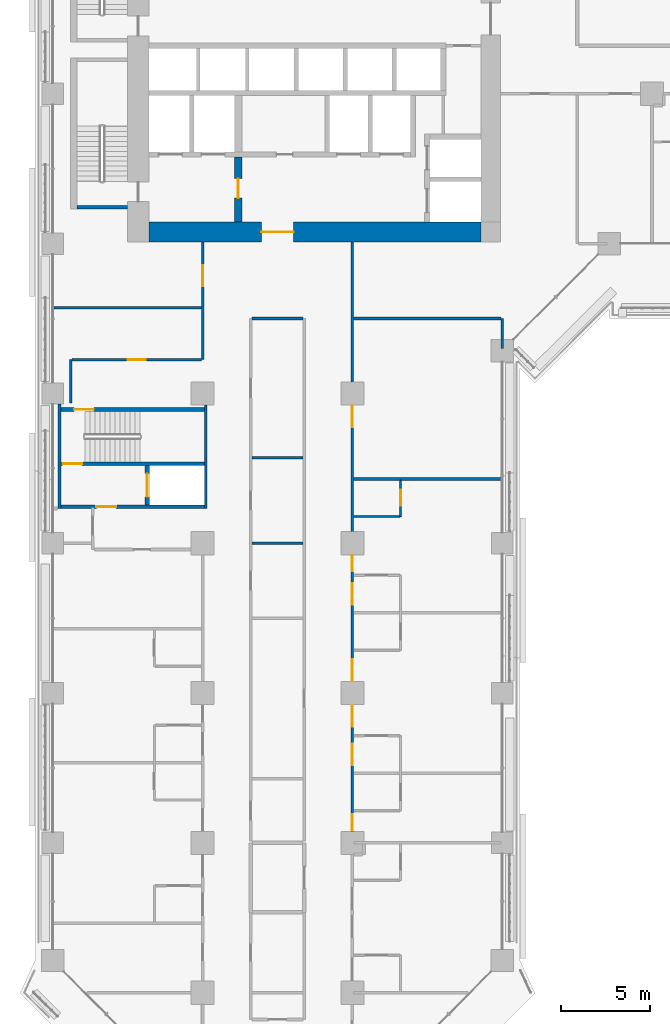
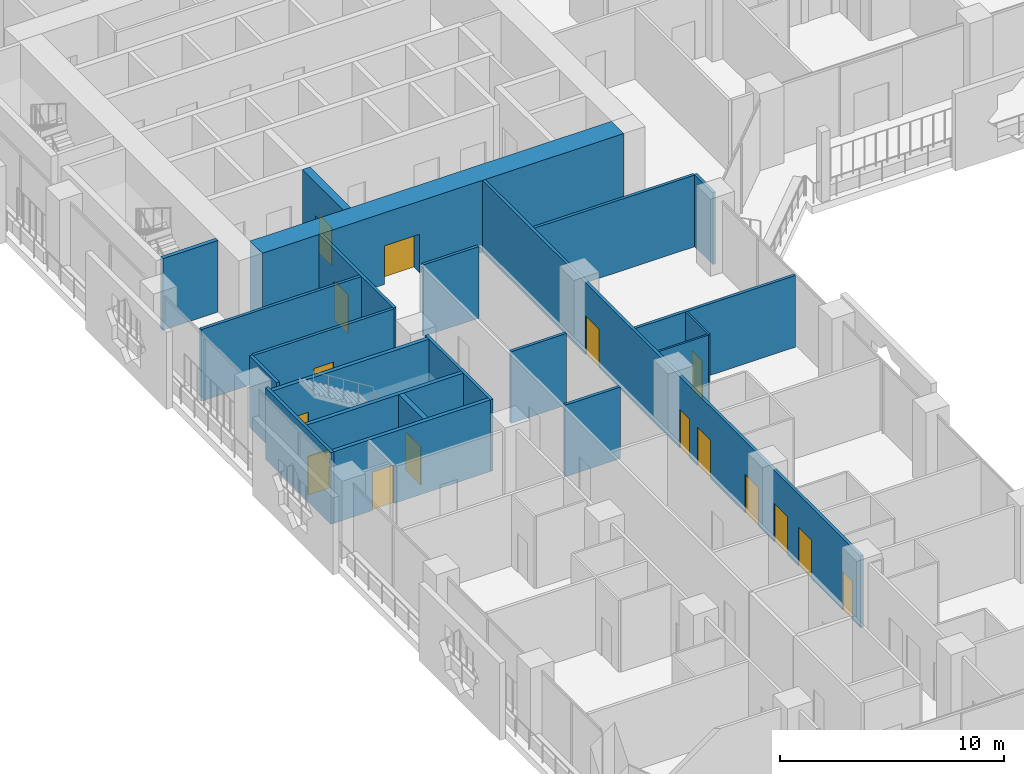
# One storey, part 15 of 29: 22 walls, 16 doors, 16 openings.
"""IFC4 building model written with IfcOpenShell, lengths in metres."""

import ifcopenshell
import ifcopenshell.guid

model = None  # the IFC model being written
_history = None  # IfcOwnerHistory: only IFC2X3 demands one
_inside = {}  # id of a spatial element -> (the spatial element, [elements in it])
_under = {}  # id of a project, library or spatial element -> (it, [spatial elements below it])
_declared = {}  # id of a project -> (the project, [libraries it declares])
_typed = {}  # id of a type object -> (the type object, [elements of that type])
_made_of = {}  # id of a material, layer set ... -> (it, [elements and type objects made of it])


def new_model(schema):
    """Start an empty IFC model of exactly this schema.

    Asked for "IFC4X3", IfcOpenShell would pick the latest addendum, in which some entities
    have other attributes; the version numbers below select the first issue.
    IFC2X3 requires an IfcOwnerHistory on every rooted entity: one is made here for all.
    """
    global model, _history
    if schema == "IFC4X3":
        model = ifcopenshell.file(schema_version=(4, 3, 0, 0))
    else:
        model = ifcopenshell.file(schema=schema)
    _inside.clear()
    _under.clear()
    _declared.clear()
    _typed.clear()
    _made_of.clear()
    _history = None
    if model.schema == "IFC2X3":
        org = make("IfcOrganization", Name="unknown")
        user = make(
            "IfcPersonAndOrganization",
            ThePerson=make("IfcPerson", FamilyName="unknown"),
            TheOrganization=org,
        )
        app = make(
            "IfcApplication",
            ApplicationDeveloper=org,
            Version="unknown",
            ApplicationFullName="unknown",
            ApplicationIdentifier="unknown",
        )
        _history = make(
            "IfcOwnerHistory",
            OwningUser=user,
            OwningApplication=app,
            ChangeAction="ADDED",
            CreationDate=0,
        )
    return model


def make(cls, **values):
    """One entity of the class cls with the attributes given. An attribute that is None is left unset."""
    return model.create_entity(
        cls, **{name: value for name, value in values.items() if value is not None}
    )


def rooted(cls, **values):
    """An entity with a GlobalId (a new one), such as an element, a storey or a relation."""
    return make(cls, GlobalId=ifcopenshell.guid.new(), OwnerHistory=_history, **values)


def si_unit(unit_type, name, prefix=None):
    """IfcSIUnit, for example si_unit("LENGTHUNIT", "METRE", prefix="MILLI")."""
    return make("IfcSIUnit", UnitType=unit_type, Prefix=prefix, Name=name)


def assignment(units):
    """IfcUnitAssignment: the units of a project."""
    return None if units is None else make("IfcUnitAssignment", Units=units)


def point(xyz):
    """IfcCartesianPoint."""
    return None if xyz is None else make("IfcCartesianPoint", Coordinates=xyz)


def direction(xyz):
    """IfcDirection."""
    return None if xyz is None else make("IfcDirection", DirectionRatios=xyz)


def frame(location, z_axis=None, x_axis=None):
    """IfcAxis2Placement3D, a coordinate frame: its origin and axes. An axis left out is left unset."""
    return make(
        "IfcAxis2Placement3D",
        Location=point(location),
        Axis=direction(z_axis),
        RefDirection=direction(x_axis),
    )


def frame_2d(location, x_axis=None):
    """IfcAxis2Placement2D, a coordinate frame in the plane: its origin and x axis."""
    return make(
        "IfcAxis2Placement2D", Location=point(location), RefDirection=direction(x_axis)
    )


def origin():
    """The frame at (0, 0, 0) with its axes left unset."""
    return frame((0.0, 0.0, 0.0))


def place(relative_to, where):
    """IfcLocalPlacement: puts the frame where relative to a parent placement (None: the world)."""
    return make(
        "IfcLocalPlacement", PlacementRelTo=relative_to, RelativePlacement=where
    )


def context(
    kind, dimensions, precision=None, world=None, true_north=None, identifier=None
):
    """IfcGeometricRepresentationContext, for example the 3D "Model" context."""
    return make(
        "IfcGeometricRepresentationContext",
        ContextIdentifier=identifier,
        ContextType=kind,
        CoordinateSpaceDimension=dimensions,
        Precision=precision,
        WorldCoordinateSystem=world,
        TrueNorth=true_north,
    )


def subcontext(parent, identifier, kind, view, scale=None):
    """IfcGeometricRepresentationSubContext, for example "Body" below "Model"."""
    return make(
        "IfcGeometricRepresentationSubContext",
        ContextIdentifier=identifier,
        ContextType=kind,
        ParentContext=parent,
        TargetScale=scale,
        TargetView=view,
    )


def project(units=None, contexts=None):
    """IfcProject with its units and contexts."""
    return rooted(
        "IfcProject",
        Name="project",
        RepresentationContexts=contexts,
        UnitsInContext=assignment(units),
    )


def spatial(cls, under=None, at=None, **own):
    """A site, building, storey or space (cls), placed at a placement, below another one or the project."""
    s = rooted(cls, ObjectPlacement=at, **own)
    if under is not None:
        _under.setdefault(under.id(), (under, []))[1].append(s)
    return s


def profile(cls, at=None, kind="AREA", **sizes):
    """A parametric profile (cls). Its sizes go by their IFC names, for example OverallWidth=200.0."""
    return make(cls, ProfileType=kind, Position=at, **sizes)


def rectangle(**sizes):
    """IfcRectangleProfileDef."""
    return profile("IfcRectangleProfileDef", **sizes)


def extrude(swept, where, along, depth):
    """IfcExtrudedAreaSolid: the profile swept, set in the frame where, extruded along a direction by depth."""
    return make(
        "IfcExtrudedAreaSolid",
        SweptArea=swept,
        Position=where,
        ExtrudedDirection=direction(along),
        Depth=depth,
    )


def shape(context_of_items, identifier, shape_type, items):
    """IfcShapeRepresentation: the items that make up one representation, for example the "Body"."""
    return make(
        "IfcShapeRepresentation",
        ContextOfItems=context_of_items,
        RepresentationIdentifier=identifier,
        RepresentationType=shape_type,
        Items=items,
    )


def material(Name=None, Category=None):
    """IfcMaterial."""
    return make("IfcMaterial", Name=Name, Category=Category)


def layer(
    of_material, thickness, ventilated=None, Name=None, Category=None, Priority=None
):
    """IfcMaterialLayer: one layer of a wall or slab, of a material (None: an air gap)."""
    return make(
        "IfcMaterialLayer",
        Material=of_material,
        LayerThickness=thickness,
        IsVentilated=ventilated,
        Name=Name,
        Category=Category,
        Priority=Priority,
    )


def layer_set(layers, Name=None):
    """IfcMaterialLayerSet."""
    return make("IfcMaterialLayerSet", MaterialLayers=layers, LayerSetName=Name)


def made_of(thing, what):
    """Note that an element or type object is made of a material, layer set ...; save() writes the relation."""
    if what is not None:
        _made_of.setdefault(what.id(), (what, []))[1].append(thing)
    return thing


def type_object(cls, material=None, **own):
    """A type object (cls), such as IfcWallType, which elements share."""
    return made_of(rooted(cls, **own), material)


def element(
    cls,
    number,
    at=None,
    inside=None,
    cuts=None,
    type_object=None,
    material=None,
    context=None,
    identifier="Body",
    shape_type=None,
    held_by="IfcProductDefinitionShape",
    body=None,
    shapes=None,
    **own,
):
    """One element of the class cls, such as IfcWall. Its Tag is "e" and its number.

    at: its placement. inside: the storey or other place that contains it. cuts: it is an
    opening in that element (IfcRelVoidsElement). A single representation is given by context,
    identifier, shape_type and body (its items); several are given by shapes. held_by: the class
    of the entity that holds the representations. save() writes the other relations.
    """
    e = rooted(cls, Tag="e%d" % number, ObjectPlacement=at, **own)
    if body is not None:
        shapes = [shape(context, identifier, shape_type, body)]
    if shapes is not None:
        e.Representation = make(held_by, Representations=shapes)
    if inside is not None:
        _inside.setdefault(inside.id(), (inside, []))[1].append(e)
    if cuts is not None:
        rooted(
            "IfcRelVoidsElement", RelatingBuildingElement=cuts, RelatedOpeningElement=e
        )
    if type_object is not None:
        _typed.setdefault(type_object.id(), (type_object, []))[1].append(e)
    return made_of(e, material)


def fill(opening, filler):
    """IfcRelFillsElement: the door or window that sits in an opening."""
    return rooted(
        "IfcRelFillsElement",
        RelatingOpeningElement=opening,
        RelatedBuildingElement=filler,
    )


def aggregate(whole, parts):
    """IfcRelAggregates: a whole, such as a stair, and the parts it consists of."""
    return rooted("IfcRelAggregates", RelatingObject=whole, RelatedObjects=parts)


def save(model, path):
    """Write the relations noted so far, then the file.

    IfcRelAggregates (storeys below a building ...), IfcRelContainedInSpatialStructure (elements
    in a storey), IfcRelDefinesByType, IfcRelAssociatesMaterial and IfcRelDeclares: one each for
    every whole, place, type object, material and project.
    """
    for whole, parts in _under.values():
        aggregate(whole, parts)
    for where, things in _inside.values():
        rooted(
            "IfcRelContainedInSpatialStructure",
            RelatedElements=things,
            RelatingStructure=where,
        )
    for kind, things in _typed.values():
        rooted("IfcRelDefinesByType", RelatedObjects=things, RelatingType=kind)
    for what, things in _made_of.values():
        rooted("IfcRelAssociatesMaterial", RelatedObjects=things, RelatingMaterial=what)
    for by, libraries in _declared.values():
        rooted("IfcRelDeclares", RelatingContext=by, RelatedDefinitions=libraries)
    model.write(path)


model = new_model("IFC4")

# Units and contexts
model_context = context("Model", 3, precision=1e-05, world=origin(), true_north=direction((0.0, 1.0)))
body_context = subcontext(model_context, "Body", "Model", "MODEL_VIEW")
ifc_project = project(units=[si_unit("LENGTHUNIT", "METRE"), si_unit("AREAUNIT", "SQUARE_METRE"), si_unit("VOLUMEUNIT", "CUBIC_METRE"), si_unit("PLANEANGLEUNIT", "RADIAN"), si_unit("MASSUNIT", "GRAM", prefix="KILO")], contexts=[model_context])

# Site, building, storey
site_placement = place(None, origin())
site = spatial("IfcSite", under=ifc_project, at=site_placement, CompositionType="ELEMENT")
building_placement = place(site_placement, origin())
building = spatial("IfcBuilding", under=site, at=building_placement, Name="Kawkab Arch Medical Tower", CompositionType="ELEMENT")
storey_placement = place(building_placement, frame((0.0, 0.0, 60.199951171875)))
storey = spatial("IfcBuildingStorey", under=building, at=storey_placement, Name="L13", CompositionType="ELEMENT", Elevation=60.199951171875)

# Wall, opening, door
ifc_material_1 = material(Name="Concrete C60/75", Category="concrete")
ifc_layer_1 = layer(ifc_material_1, 1.10009765625)
ifc_layer_set_1 = layer_set([ifc_layer_1], Name="Concrete C60/75")
wall_type_1 = type_object("IfcWallType", Name="Core ring wall 1100 C60/75", PredefinedType="SHEAR", material=ifc_layer_set_1)
wall_1_placement = place(storey_placement, frame((5.39990234375, -24.550048828125, 0.0), z_axis=(0.0, 0.0, 1.0), x_axis=(1.0, 0.0, 0.0)))
wall_1 = element("IfcWall", 1, at=wall_1_placement, inside=storey, type_object=wall_type_1, Name="L13 core wall", PredefinedType="SHEAR", context=body_context, shape_type="SweptSolid", body=[
    extrude(rectangle(XDim=18.60009765625, YDim=1.10009765625, at=frame_2d((9.300048828125, 0.0))), origin(), (0.0, 0.0, 1.0), 3.900146484375),
])
opening_1_placement = place(wall_1_placement, frame((6.300048828125, 0.0, 0.0)))
opening_1 = element("IfcOpeningElement", 2, at=opening_1_placement, cuts=wall_1, Name="Opening PD", PredefinedType="OPENING", context=body_context, shape_type="SweptSolid", body=[
    extrude(rectangle(XDim=1.800048828125, YDim=2.10009765625, at=frame_2d((0.89990234375, 1.050048828125))), frame((0.0, 0.56005859375, 0.0), z_axis=(0.0, -1.0, 0.0), x_axis=(1.0, 0.0, 0.0)), (0.0, 0.0, 1.0), 1.1201171875),
])
ifc_material_2 = material(Name="Hollow metal fire door leaf")
door_type_1 = type_object("IfcDoorType", Name="Core entrance doors 1800", OperationType="DOUBLE_DOOR_SINGLE_SWING", PredefinedType="DOOR", material=ifc_material_2)
door_1_placement = place(opening_1_placement, origin())
door_1 = element("IfcDoor", 3, at=door_1_placement, inside=storey, type_object=door_type_1, Name="L13 South entrance doors", OperationType="DOUBLE_DOOR_SINGLE_SWING", OverallHeight=2.10009765625, OverallWidth=1.800048828125, PredefinedType="DOOR", context=body_context, shape_type="SweptSolid", body=[
    extrude(rectangle(XDim=1.800048828125, YDim=2.10009765625, at=frame_2d((0.89990234375, 1.050048828125))), frame((0.0, 0.02490234375, 0.0), z_axis=(0.0, -1.0, 0.0), x_axis=(1.0, 0.0, 0.0)), (0.0, 0.0, 1.0), 0.050048828125),
])
fill(opening_1, door_1)

ifc_material_3 = material(Name="Concrete C60/75", Category="concrete")
ifc_layer_2 = layer(ifc_material_3, 0.25)
ifc_layer_set_2 = layer_set([ifc_layer_2], Name="Concrete C60/75")
wall_type_2 = type_object("IfcWallType", Name="Core shear wall 250 C60/75", PredefinedType="SHEAR", material=ifc_layer_set_2)
wall_2_placement = place(storey_placement, frame((5.300048828125, -39.85009765625, 0.0), z_axis=(0.0, 0.0, 1.0), x_axis=(0.0, 1.0, 0.0)))
wall_2 = element("IfcWall", 4, at=wall_2_placement, inside=storey, type_object=wall_type_2, Name="L13 core shear wall", PredefinedType="SHEAR", context=body_context, shape_type="SweptSolid", body=[
    extrude(rectangle(XDim=2.2001953125, YDim=0.25, at=frame_2d((1.10009765625, 0.0))), origin(), (0.0, 0.0, 1.0), 3.900146484375),
])
opening_2_placement = place(wall_2_placement, frame((0.449951171875, 0.0, 0.0)))
opening_2 = element("IfcOpeningElement", 5, at=opening_2_placement, cuts=wall_2, Name="Opening LD2", PredefinedType="OPENING", context=body_context, shape_type="SweptSolid", body=[
    extrude(rectangle(XDim=1.300048828125, YDim=2.10009765625, at=frame_2d((0.64990234375, 1.050048828125))), frame((0.0, 0.135009765625, 0.0), z_axis=(0.0, -1.0, 0.0), x_axis=(1.0, 0.0, 0.0)), (0.0, 0.0, 1.0), 0.27001953125),
])
ifc_material_4 = material(Name="Stainless steel lift door leaf", Category="steel")
door_type_2 = type_object("IfcDoorType", Name="Lift landing door 1300", OperationType="DOUBLE_DOOR_SLIDING", PredefinedType="DOOR", material=ifc_material_4)
door_2_placement = place(opening_2_placement, origin())
door_2 = element("IfcDoor", 6, at=door_2_placement, inside=storey, type_object=door_type_2, Name="L13 Lift landing door SV2", OperationType="DOUBLE_DOOR_SLIDING", OverallHeight=2.10009765625, OverallWidth=1.300048828125, PredefinedType="DOOR", context=body_context, shape_type="SweptSolid", body=[
    extrude(rectangle(XDim=1.300048828125, YDim=2.10009765625, at=frame_2d((0.64990234375, 1.050048828125))), frame((0.0, 0.02490234375, 0.0), z_axis=(0.0, -1.0, 0.0), x_axis=(1.0, 0.0, 0.0)), (0.0, 0.0, 1.0), 0.050048828125),
])
fill(opening_2, door_2)

ifc_material_5 = material(Name="Concrete C60/75", Category="concrete")
ifc_layer_3 = layer(ifc_material_5, 0.39990234375)
ifc_layer_set_3 = layer_set([ifc_layer_3], Name="Concrete C60/75")
wall_type_3 = type_object("IfcWallType", Name="Core shear wall 400 C60/75", PredefinedType="SHEAR", material=ifc_layer_set_3)
wall_3_placement = place(storey_placement, frame((10.39990234375, -24.0, 0.0), z_axis=(0.0, 0.0, 1.0), x_axis=(0.0, 1.0, 0.0)))
wall_3 = element("IfcWall", 7, at=wall_3_placement, inside=storey, type_object=wall_type_3, Name="L13 core shear wall", PredefinedType="SHEAR", context=body_context, shape_type="SweptSolid", body=[
    extrude(rectangle(XDim=3.64990234375, YDim=0.39990234375, at=frame_2d((1.824951171875, 0.0))), origin(), (0.0, 0.0, 1.0), 3.900146484375),
])
opening_3_placement = place(wall_3_placement, frame((1.35009765625, 0.0, 0.0)))
opening_3 = element("IfcOpeningElement", 8, at=opening_3_placement, cuts=wall_3, Name="Opening FD", PredefinedType="OPENING", context=body_context, shape_type="SweptSolid", body=[
    extrude(rectangle(XDim=1.10009765625, YDim=2.10009765625, at=frame_2d((0.550048828125, 1.050048828125))), frame((0.0, 0.2099609375, 0.0), z_axis=(0.0, -1.0, 0.0), x_axis=(1.0, 0.0, 0.0)), (0.0, 0.0, 1.0), 0.419921875),
])
ifc_material_6 = material(Name="Hollow metal fire door leaf")
door_type_3 = type_object("IfcDoorType", Name="Firefighting lobby door 1100", OperationType="SINGLE_SWING_LEFT", PredefinedType="DOOR", material=ifc_material_6)
door_3_placement = place(opening_3_placement, origin())
door_3 = element("IfcDoor", 9, at=door_3_placement, inside=storey, type_object=door_type_3, Name="L13 Firefighting lobby door", OperationType="SINGLE_SWING_LEFT", OverallHeight=2.10009765625, OverallWidth=1.10009765625, PredefinedType="DOOR", context=body_context, shape_type="SweptSolid", body=[
    extrude(rectangle(XDim=1.10009765625, YDim=2.10009765625, at=frame_2d((0.550048828125, 1.050048828125))), frame((0.0, 0.02490234375, 0.0), z_axis=(0.0, -1.0, 0.0), x_axis=(1.0, 0.0, 0.0)), (0.0, 0.0, 1.0), 0.050048828125),
])
fill(opening_3, door_3)

# Wall
ifc_material_7 = material(Name="Gypsum board partition on steel studs", Category="steel")
ifc_layer_4 = layer(ifc_material_7, 0.10009765625)
ifc_layer_set_4 = layer_set([ifc_layer_4], Name="Gypsum board partition on steel studs")
wall_type_4 = type_object("IfcWallType", Name="Partition 100", PredefinedType="PARTITIONING", material=ifc_layer_set_4)
wall_4_placement = place(storey_placement, frame((16.875, -40.5, 0.0), z_axis=(0.0, 0.0, 1.0), x_axis=(1.0, 0.0, 0.0)))
element("IfcWall", 10, at=wall_4_placement, inside=storey, type_object=wall_type_4, Name="Partition 100 w011", PredefinedType="PARTITIONING", context=body_context, shape_type="SweptSolid", body=[
    extrude(rectangle(XDim=2.574951171875, YDim=0.10009765625, at=frame_2d((1.28759765625, 0.0))), origin(), (0.0, 0.0, 1.0), 3.900146484375),
])

# Wall, opening, door
wall_5_placement = place(storey_placement, frame((19.5, -40.5, 0.0), z_axis=(0.0, 0.0, 1.0), x_axis=(0.0, 1.0, 0.0)))
wall_5 = element("IfcWall", 11, at=wall_5_placement, inside=storey, type_object=wall_type_4, Name="Partition 100 w028", PredefinedType="PARTITIONING", context=body_context, shape_type="SweptSolid", body=[
    extrude(rectangle(XDim=2.02490234375, YDim=0.10009765625, at=frame_2d((1.012451171875, 0.0))), origin(), (0.0, 0.0, 1.0), 3.900146484375),
])
opening_4_placement = place(wall_5_placement, frame((0.60009765625, 0.0, 0.0)))
opening_4 = element("IfcOpeningElement", 12, at=opening_4_placement, cuts=wall_5, Name="Opening W13A-014", PredefinedType="OPENING", context=body_context, shape_type="SweptSolid", body=[
    extrude(rectangle(XDim=0.89990234375, YDim=2.10009765625, at=frame_2d((0.449951171875, 1.050048828125))), frame((0.0, 0.06005859375, 0.0), z_axis=(0.0, -1.0, 0.0), x_axis=(1.0, 0.0, 0.0)), (0.0, 0.0, 1.0), 0.1201171875),
])
ifc_material_8 = material(Name="Timber door leaf", Category="wood")
door_type_4 = type_object("IfcDoorType", Name="Single door 900x2100", OperationType="NOTDEFINED", PredefinedType="DOOR", material=ifc_material_8)
door_4_placement = place(opening_4_placement, origin())
door_4 = element("IfcDoor", 13, at=door_4_placement, inside=storey, type_object=door_type_4, Name="Door W13A-014", OperationType="SINGLE_SWING_LEFT", OverallHeight=2.10009765625, OverallWidth=0.89990234375, PredefinedType="DOOR", context=body_context, shape_type="SweptSolid", body=[
    extrude(rectangle(XDim=0.89990234375, YDim=2.10009765625, at=frame_2d((0.449951171875, 1.050048828125))), frame((0.0, 0.02490234375, 0.0), z_axis=(0.0, -1.0, 0.0), x_axis=(1.0, 0.0, 0.0)), (0.0, 0.0, 1.0), 0.050048828125),
])
fill(opening_4, door_4)

# Walls
ifc_material_9 = material(Name="Gypsum board partition on steel studs, mineral wool", Category="steel")
ifc_layer_5 = layer(ifc_material_9, 0.14990234375)
ifc_layer_set_5 = layer_set([ifc_layer_5], Name="Gypsum board partition on steel studs, mineral wool")
wall_type_5 = type_object("IfcWallType", Name="Partition 150", PredefinedType="PARTITIONING", material=ifc_layer_set_5)
wall_6_placement = place(storey_placement, frame((11.175048828125, -42.0, 0.0), z_axis=(0.0, 0.0, 1.0), x_axis=(1.0, 0.0, 0.0)))
element("IfcWall", 14, at=wall_6_placement, inside=storey, type_object=wall_type_5, Name="Partition 150 w058", PredefinedType="PARTITIONING", context=body_context, shape_type="SweptSolid", body=[
    extrude(rectangle(XDim=2.849853515625, YDim=0.14990234375, at=frame_2d((1.4248046875, 0.0))), origin(), (0.0, 0.0, 1.0), 3.900146484375),
])
wall_7_placement = place(storey_placement, frame((16.875, -38.39990234375, 0.0), z_axis=(0.0, 0.0, 1.0), x_axis=(1.0, 0.0, 0.0)))
element("IfcWall", 15, at=wall_7_placement, inside=storey, type_object=wall_type_5, Name="Partition 150 w060", PredefinedType="PARTITIONING", context=body_context, shape_type="SweptSolid", body=[
    extrude(rectangle(XDim=8.2451171875, YDim=0.14990234375, at=frame_2d((4.12255859375, 0.0))), origin(), (0.0, 0.0, 1.0), 3.900146484375),
])
wall_8_placement = place(storey_placement, frame((11.175048828125, -37.199951171875, 0.0), z_axis=(0.0, 0.0, 1.0), x_axis=(1.0, 0.0, 0.0)))
element("IfcWall", 16, at=wall_8_placement, inside=storey, type_object=wall_type_5, Name="Partition 150 w061", PredefinedType="PARTITIONING", context=body_context, shape_type="SweptSolid", body=[
    extrude(rectangle(XDim=2.849853515625, YDim=0.14990234375, at=frame_2d((1.4248046875, 0.0))), origin(), (0.0, 0.0, 1.0), 3.900146484375),
])

# Wall, opening, door
wall_9_placement = place(storey_placement, frame((1.076904296875, -31.70703125, 0.0), z_axis=(0.0, 0.0, 1.0), x_axis=(1.0, 0.0, 0.0)))
wall_9 = element("IfcWall", 17, at=wall_9_placement, inside=storey, type_object=wall_type_5, Name="Partition 150 w062", PredefinedType="PARTITIONING", context=body_context, shape_type="SweptSolid", body=[
    extrude(rectangle(XDim=7.248046875, YDim=0.14990234375, at=frame_2d((3.6240234375, 0.0))), origin(), (0.0, 0.0, 1.0), 3.900146484375),
])
opening_5_placement = place(wall_9_placement, frame((3.1240234375, 0.0, 0.0)))
opening_5 = element("IfcOpeningElement", 18, at=opening_5_placement, cuts=wall_9, Name="Opening W13A-030", PredefinedType="OPENING", context=body_context, shape_type="SweptSolid", body=[
    extrude(rectangle(XDim=1.0, YDim=2.10009765625, at=frame_2d((0.5, 1.050048828125))), frame((0.0, 0.0849609375, 0.0), z_axis=(0.0, -1.0, 0.0), x_axis=(1.0, 0.0, 0.0)), (0.0, 0.0, 1.0), 0.169921875),
])
ifc_material_10 = material(Name="Hollow metal door leaf")
door_type_5 = type_object("IfcDoorType", Name="Single door 1000x2100 FD30S", OperationType="NOTDEFINED", PredefinedType="DOOR", material=ifc_material_10)
door_5_placement = place(opening_5_placement, origin())
door_5 = element("IfcDoor", 19, at=door_5_placement, inside=storey, type_object=door_type_5, Name="Door W13A-030", OperationType="SINGLE_SWING_RIGHT", OverallHeight=2.10009765625, OverallWidth=1.0, PredefinedType="DOOR", context=body_context, shape_type="SweptSolid", body=[
    extrude(rectangle(XDim=1.0, YDim=2.10009765625, at=frame_2d((0.5, 1.050048828125))), frame((0.0, 0.02490234375, 0.0), z_axis=(0.0, -1.0, 0.0), x_axis=(1.0, 0.0, 0.0)), (0.0, 0.0, 1.0), 0.050048828125),
])
fill(opening_5, door_5)

# Walls
wall_10_placement = place(storey_placement, frame((11.175048828125, -29.39990234375, 0.0), z_axis=(0.0, 0.0, 1.0), x_axis=(1.0, 0.0, 0.0)))
element("IfcWall", 20, at=wall_10_placement, inside=storey, type_object=wall_type_5, Name="Partition 150 w063", PredefinedType="PARTITIONING", context=body_context, shape_type="SweptSolid", body=[
    extrude(rectangle(XDim=2.849853515625, YDim=0.14990234375, at=frame_2d((1.4248046875, 0.0))), origin(), (0.0, 0.0, 1.0), 3.900146484375),
])
wall_11_placement = place(storey_placement, frame((16.875, -29.39990234375, 0.0), z_axis=(0.0, 0.0, 1.0), x_axis=(1.0, 0.0, 0.0)))
element("IfcWall", 21, at=wall_11_placement, inside=storey, type_object=wall_type_5, Name="Partition 150 w064", PredefinedType="PARTITIONING", context=body_context, shape_type="SweptSolid", body=[
    extrude(rectangle(XDim=8.25, YDim=0.14990234375, at=frame_2d((4.125, 0.0))), origin(), (0.0, 0.0, 1.0), 3.900146484375),
])
wall_12_placement = place(storey_placement, frame((0.080078125, -28.800048828125, 0.0), z_axis=(0.0, 0.0, 1.0), x_axis=(1.0, 0.0, 0.0)))
element("IfcWall", 22, at=wall_12_placement, inside=storey, type_object=wall_type_5, Name="Partition 150 w065", PredefinedType="PARTITIONING", context=body_context, shape_type="SweptSolid", body=[
    extrude(rectangle(XDim=8.244873046875, YDim=0.14990234375, at=frame_2d((4.12255859375, 0.0))), origin(), (0.0, 0.0, 1.0), 3.900146484375),
])
wall_13_placement = place(storey_placement, frame((1.0, -34.123046875, 0.0), z_axis=(0.0, 0.0, 1.0), x_axis=(0.0, 1.0, 0.0)))
element("IfcWall", 23, at=wall_13_placement, inside=storey, type_object=wall_type_5, Name="Partition 150 w083", PredefinedType="PARTITIONING", context=body_context, shape_type="SweptSolid", body=[
    extrude(rectangle(XDim=2.4150390625, YDim=0.14990234375, at=frame_2d((1.20751953125, 0.0))), origin(), (0.0, 0.0, 1.0), 3.900146484375),
])

# Wall, opening, door
wall_14_placement = place(storey_placement, frame((8.39990234375, -31.70703125, 0.0), z_axis=(0.0, 0.0, 1.0), x_axis=(0.0, 1.0, 0.0)))
wall_14 = element("IfcWall", 24, at=wall_14_placement, inside=storey, type_object=wall_type_5, Name="Partition 150 w087", PredefinedType="PARTITIONING", context=body_context, shape_type="SweptSolid", body=[
    extrude(rectangle(XDim=6.60693359375, YDim=0.14990234375, at=frame_2d((3.303466796875, 0.0))), origin(), (0.0, 0.0, 1.0), 3.900146484375),
])
opening_6_placement = place(wall_14_placement, frame((4.10693359375, 0.0, 0.0)))
opening_6 = element("IfcOpeningElement", 25, at=opening_6_placement, cuts=wall_14, Name="Opening W13A-068", PredefinedType="OPENING", context=body_context, shape_type="SweptSolid", body=[
    extrude(rectangle(XDim=1.199951171875, YDim=2.10009765625, at=frame_2d((0.60009765625, 1.050048828125))), frame((0.0, 0.0849609375, 0.0), z_axis=(0.0, -1.0, 0.0), x_axis=(1.0, 0.0, 0.0)), (0.0, 0.0, 1.0), 0.169921875),
])
ifc_material_11 = material(Name="Hollow metal door leaf")
door_type_6 = type_object("IfcDoorType", Name="Single door 1200x2100 FD30S", OperationType="NOTDEFINED", PredefinedType="DOOR", material=ifc_material_11)
door_6_placement = place(opening_6_placement, origin())
door_6 = element("IfcDoor", 26, at=door_6_placement, inside=storey, type_object=door_type_6, Name="Door W13A-068", OperationType="SINGLE_SWING_RIGHT", OverallHeight=2.10009765625, OverallWidth=1.199951171875, PredefinedType="DOOR", context=body_context, shape_type="SweptSolid", body=[
    extrude(rectangle(XDim=1.199951171875, YDim=2.10009765625, at=frame_2d((0.60009765625, 1.050048828125))), frame((0.0, 0.02490234375, 0.0), z_axis=(0.0, -1.0, 0.0), x_axis=(1.0, 0.0, 0.0)), (0.0, 0.0, 1.0), 0.050048828125),
])
fill(opening_6, door_6)

# Wall, openings, doors
wall_15_placement = place(storey_placement, frame((16.800048828125, -58.798095703125, 0.0), z_axis=(0.0, 0.0, 1.0), x_axis=(0.0, 1.0, 0.0)))
wall_15 = element("IfcWall", 27, at=wall_15_placement, inside=storey, type_object=wall_type_5, Name="Partition 150 w093", PredefinedType="PARTITIONING", context=body_context, shape_type="SweptSolid", body=[
    extrude(rectangle(XDim=33.697998046875, YDim=0.14990234375, at=frame_2d((16.84912109375, 0.0))), origin(), (0.0, 0.0, 1.0), 3.900146484375),
])
opening_7_placement = place(wall_15_placement, frame((23.298095703125, 0.0, 0.0)))
opening_7 = element("IfcOpeningElement", 28, at=opening_7_placement, cuts=wall_15, Name="Opening W13A-075", PredefinedType="OPENING", context=body_context, shape_type="SweptSolid", body=[
    extrude(rectangle(XDim=1.199951171875, YDim=2.10009765625, at=frame_2d((0.60009765625, 1.050048828125))), frame((0.0, 0.0849609375, 0.0), z_axis=(0.0, -1.0, 0.0), x_axis=(1.0, 0.0, 0.0)), (0.0, 0.0, 1.0), 0.169921875),
])
opening_8_placement = place(wall_15_placement, frame((15.222900390625, 0.0, 0.0)))
opening_8 = element("IfcOpeningElement", 29, at=opening_8_placement, cuts=wall_15, Name="Opening W13A-020", PredefinedType="OPENING", context=body_context, shape_type="SweptSolid", body=[
    extrude(rectangle(XDim=0.89990234375, YDim=2.10009765625, at=frame_2d((0.449951171875, 1.050048828125))), frame((0.0, 0.0849609375, 0.0), z_axis=(0.0, -1.0, 0.0), x_axis=(1.0, 0.0, 0.0)), (0.0, 0.0, 1.0), 0.169921875),
])
opening_9_placement = place(wall_15_placement, frame((13.347900390625, 0.0, 0.0)))
opening_9 = element("IfcOpeningElement", 30, at=opening_9_placement, cuts=wall_15, Name="Opening W13A-076", PredefinedType="OPENING", context=body_context, shape_type="SweptSolid", body=[
    extrude(rectangle(XDim=1.199951171875, YDim=2.10009765625, at=frame_2d((0.60009765625, 1.050048828125))), frame((0.0, 0.0849609375, 0.0), z_axis=(0.0, -1.0, 0.0), x_axis=(1.0, 0.0, 0.0)), (0.0, 0.0, 1.0), 0.169921875),
])
opening_10_placement = place(wall_15_placement, frame((9.097900390625, 0.0, 0.0)))
opening_10 = element("IfcOpeningElement", 31, at=opening_10_placement, cuts=wall_15, Name="Opening W13A-078", PredefinedType="OPENING", context=body_context, shape_type="SweptSolid", body=[
    extrude(rectangle(XDim=1.199951171875, YDim=2.10009765625, at=frame_2d((0.60009765625, 1.050048828125))), frame((0.0, 0.0849609375, 0.0), z_axis=(0.0, -1.0, 0.0), x_axis=(1.0, 0.0, 0.0)), (0.0, 0.0, 1.0), 0.169921875),
])
opening_11_placement = place(wall_15_placement, frame((6.498046875, 0.0, 0.0)))
opening_11 = element("IfcOpeningElement", 32, at=opening_11_placement, cuts=wall_15, Name="Opening W13A-079", PredefinedType="OPENING", context=body_context, shape_type="SweptSolid", body=[
    extrude(rectangle(XDim=1.199951171875, YDim=2.10009765625, at=frame_2d((0.60009765625, 1.050048828125))), frame((0.0, 0.0849609375, 0.0), z_axis=(0.0, -1.0, 0.0), x_axis=(1.0, 0.0, 0.0)), (0.0, 0.0, 1.0), 0.169921875),
])
opening_12_placement = place(wall_15_placement, frame((4.347900390625, 0.0, 0.0)))
opening_12 = element("IfcOpeningElement", 33, at=opening_12_placement, cuts=wall_15, Name="Opening W13A-080", PredefinedType="OPENING", context=body_context, shape_type="SweptSolid", body=[
    extrude(rectangle(XDim=1.199951171875, YDim=2.10009765625, at=frame_2d((0.60009765625, 1.050048828125))), frame((0.0, 0.0849609375, 0.0), z_axis=(0.0, -1.0, 0.0), x_axis=(1.0, 0.0, 0.0)), (0.0, 0.0, 1.0), 0.169921875),
])
opening_13_placement = place(wall_15_placement, frame((0.697998046875, 0.0, 0.0)))
opening_13 = element("IfcOpeningElement", 34, at=opening_13_placement, cuts=wall_15, Name="Opening W13A-021", PredefinedType="OPENING", context=body_context, shape_type="SweptSolid", body=[
    extrude(rectangle(XDim=0.89990234375, YDim=2.10009765625, at=frame_2d((0.449951171875, 1.050048828125))), frame((0.0, 0.0849609375, 0.0), z_axis=(0.0, -1.0, 0.0), x_axis=(1.0, 0.0, 0.0)), (0.0, 0.0, 1.0), 0.169921875),
])
door_7_placement = place(opening_7_placement, origin())
door_7 = element("IfcDoor", 35, at=door_7_placement, inside=storey, type_object=door_type_6, Name="Door W13A-075", OperationType="SINGLE_SWING_LEFT", OverallHeight=2.10009765625, OverallWidth=1.199951171875, PredefinedType="DOOR", context=body_context, shape_type="SweptSolid", body=[
    extrude(rectangle(XDim=1.199951171875, YDim=2.10009765625, at=frame_2d((0.60009765625, 1.050048828125))), frame((0.0, 0.02490234375, 0.0), z_axis=(0.0, -1.0, 0.0), x_axis=(1.0, 0.0, 0.0)), (0.0, 0.0, 1.0), 0.050048828125),
])
fill(opening_7, door_7)
door_8_placement = place(opening_9_placement, origin())
door_8 = element("IfcDoor", 36, at=door_8_placement, inside=storey, type_object=door_type_6, Name="Door W13A-076", OperationType="SINGLE_SWING_RIGHT", OverallHeight=2.10009765625, OverallWidth=1.199951171875, PredefinedType="DOOR", context=body_context, shape_type="SweptSolid", body=[
    extrude(rectangle(XDim=1.199951171875, YDim=2.10009765625, at=frame_2d((0.60009765625, 1.050048828125))), frame((0.0, 0.02490234375, 0.0), z_axis=(0.0, -1.0, 0.0), x_axis=(1.0, 0.0, 0.0)), (0.0, 0.0, 1.0), 0.050048828125),
])
fill(opening_9, door_8)
door_9_placement = place(opening_10_placement, origin())
door_9 = element("IfcDoor", 37, at=door_9_placement, inside=storey, type_object=door_type_6, Name="Door W13A-078", OperationType="SINGLE_SWING_RIGHT", OverallHeight=2.10009765625, OverallWidth=1.199951171875, PredefinedType="DOOR", context=body_context, shape_type="SweptSolid", body=[
    extrude(rectangle(XDim=1.199951171875, YDim=2.10009765625, at=frame_2d((0.60009765625, 1.050048828125))), frame((0.0, 0.02490234375, 0.0), z_axis=(0.0, -1.0, 0.0), x_axis=(1.0, 0.0, 0.0)), (0.0, 0.0, 1.0), 0.050048828125),
])
fill(opening_10, door_9)
door_10_placement = place(opening_11_placement, origin())
door_10 = element("IfcDoor", 38, at=door_10_placement, inside=storey, type_object=door_type_6, Name="Door W13A-079", OperationType="SINGLE_SWING_RIGHT", OverallHeight=2.10009765625, OverallWidth=1.199951171875, PredefinedType="DOOR", context=body_context, shape_type="SweptSolid", body=[
    extrude(rectangle(XDim=1.199951171875, YDim=2.10009765625, at=frame_2d((0.60009765625, 1.050048828125))), frame((0.0, 0.02490234375, 0.0), z_axis=(0.0, -1.0, 0.0), x_axis=(1.0, 0.0, 0.0)), (0.0, 0.0, 1.0), 0.050048828125),
])
fill(opening_11, door_10)
door_11_placement = place(opening_12_placement, origin())
door_11 = element("IfcDoor", 39, at=door_11_placement, inside=storey, type_object=door_type_6, Name="Door W13A-080", OperationType="SINGLE_SWING_RIGHT", OverallHeight=2.10009765625, OverallWidth=1.199951171875, PredefinedType="DOOR", context=body_context, shape_type="SweptSolid", body=[
    extrude(rectangle(XDim=1.199951171875, YDim=2.10009765625, at=frame_2d((0.60009765625, 1.050048828125))), frame((0.0, 0.02490234375, 0.0), z_axis=(0.0, -1.0, 0.0), x_axis=(1.0, 0.0, 0.0)), (0.0, 0.0, 1.0), 0.050048828125),
])
fill(opening_12, door_11)
ifc_material_12 = material(Name="Hollow metal door leaf")
door_type_7 = type_object("IfcDoorType", Name="Single door 900x2100 FD30S", OperationType="NOTDEFINED", PredefinedType="DOOR", material=ifc_material_12)
door_12_placement = place(opening_8_placement, origin())
door_12 = element("IfcDoor", 40, at=door_12_placement, inside=storey, type_object=door_type_7, Name="Door W13A-020", OperationType="SINGLE_SWING_RIGHT", OverallHeight=2.10009765625, OverallWidth=0.89990234375, PredefinedType="DOOR", context=body_context, shape_type="SweptSolid", body=[
    extrude(rectangle(XDim=0.89990234375, YDim=2.10009765625, at=frame_2d((0.449951171875, 1.050048828125))), frame((0.0, 0.02490234375, 0.0), z_axis=(0.0, -1.0, 0.0), x_axis=(1.0, 0.0, 0.0)), (0.0, 0.0, 1.0), 0.050048828125),
])
fill(opening_8, door_12)
door_13_placement = place(opening_13_placement, origin())
door_13 = element("IfcDoor", 41, at=door_13_placement, inside=storey, type_object=door_type_7, Name="Door W13A-021", OperationType="SINGLE_SWING_RIGHT", OverallHeight=2.10009765625, OverallWidth=0.89990234375, PredefinedType="DOOR", context=body_context, shape_type="SweptSolid", body=[
    extrude(rectangle(XDim=0.89990234375, YDim=2.10009765625, at=frame_2d((0.449951171875, 1.050048828125))), frame((0.0, 0.02490234375, 0.0), z_axis=(0.0, -1.0, 0.0), x_axis=(1.0, 0.0, 0.0)), (0.0, 0.0, 1.0), 0.050048828125),
])
fill(opening_13, door_13)

# Walls
wall_16_placement = place(storey_placement, frame((25.199951171875, -31.0869140625, 0.0), z_axis=(0.0, 0.0, 1.0), x_axis=(0.0, 1.0, 0.0)))
element("IfcWall", 42, at=wall_16_placement, inside=storey, type_object=wall_type_5, Name="Partition 150 w095", PredefinedType="PARTITIONING", context=body_context, shape_type="SweptSolid", body=[
    extrude(rectangle(XDim=1.68701171875, YDim=0.14990234375, at=frame_2d((0.843505859375, 0.0))), origin(), (0.0, 0.0, 1.0), 3.900146484375),
])
ifc_material_13 = material(Name="Concrete C50/60", Category="concrete")
ifc_layer_6 = layer(ifc_material_13, 0.14990234375)
ifc_layer_set_6 = layer_set([ifc_layer_6], Name="Concrete C50/60")
wall_type_6 = type_object("IfcWallType", Name="Stair enclosure wall 150 C50/60", PredefinedType="SHEAR", material=ifc_layer_set_6)
wall_17_placement = place(storey_placement, frame((0.375, -40.050048828125, 0.0), z_axis=(0.0, 0.0, 1.0), x_axis=(0.0, 1.0, 0.0)))
element("IfcWall", 43, at=wall_17_placement, inside=storey, type_object=wall_type_6, Name="L13 stair enclosure wall", PredefinedType="SHEAR", context=body_context, shape_type="SweptSolid", body=[
    extrude(rectangle(XDim=5.85009765625, YDim=0.14990234375, at=frame_2d((2.925048828125, 0.0))), origin(), (0.0, 0.0, 1.0), 3.900146484375),
])
wall_18_placement = place(storey_placement, frame((8.574951171875, -40.050048828125, 0.0), z_axis=(0.0, 0.0, 1.0), x_axis=(0.0, 1.0, 0.0)))
element("IfcWall", 44, at=wall_18_placement, inside=storey, type_object=wall_type_6, Name="L13 stair enclosure wall", PredefinedType="SHEAR", context=body_context, shape_type="SweptSolid", body=[
    extrude(rectangle(XDim=5.800048828125, YDim=0.14990234375, at=frame_2d((2.89990234375, 0.0))), origin(), (0.0, 0.0, 1.0), 3.900146484375),
])
ifc_material_14 = material(Name="Concrete C50/60", Category="concrete")
ifc_layer_7 = layer(ifc_material_14, 0.199951171875)
ifc_layer_set_7 = layer_set([ifc_layer_7], Name="Concrete C50/60")
wall_type_7 = type_object("IfcWallType", Name="Stair enclosure wall 200 C50/60", PredefinedType="SHEAR", material=ifc_layer_set_7)
wall_19_placement = place(storey_placement, frame((1.35009765625, -23.14990234375, 0.0), z_axis=(0.0, 0.0, 1.0), x_axis=(1.0, 0.0, 0.0)))
element("IfcWall", 45, at=wall_19_placement, inside=storey, type_object=wall_type_7, Name="L13 stair enclosure wall", PredefinedType="SHEAR", context=body_context, shape_type="SweptSolid", body=[
    extrude(rectangle(XDim=2.849853515625, YDim=0.199951171875, at=frame_2d((1.4248046875, 0.0))), origin(), (0.0, 0.0, 1.0), 3.900146484375),
])

# Wall, opening, door
wall_20_placement = place(storey_placement, frame((0.449951171875, -34.5, 0.0), z_axis=(0.0, 0.0, 1.0), x_axis=(1.0, 0.0, 0.0)))
wall_20 = element("IfcWall", 46, at=wall_20_placement, inside=storey, type_object=wall_type_7, Name="L13 stair enclosure wall", PredefinedType="SHEAR", context=body_context, shape_type="SweptSolid", body=[
    extrude(rectangle(XDim=8.050048828125, YDim=0.199951171875, at=frame_2d((4.02490234375, 0.0))), origin(), (0.0, 0.0, 1.0), 3.900146484375),
])
opening_14_placement = place(wall_20_placement, frame((0.75, 0.0, 0.0)))
opening_14 = element("IfcOpeningElement", 47, at=opening_14_placement, cuts=wall_20, Name="Opening SD", PredefinedType="OPENING", context=body_context, shape_type="SweptSolid", body=[
    extrude(rectangle(XDim=1.10009765625, YDim=2.10009765625, at=frame_2d((0.550048828125, 1.050048828125))), frame((0.0, 0.10986328125, 0.0), z_axis=(0.0, -1.0, 0.0), x_axis=(1.0, 0.0, 0.0)), (0.0, 0.0, 1.0), 0.219970703125),
])
ifc_material_15 = material(Name="Hollow metal fire door leaf")
door_type_8 = type_object("IfcDoorType", Name="Exit stair door 1100", OperationType="SINGLE_SWING_LEFT", PredefinedType="DOOR", material=ifc_material_15)
door_14_placement = place(opening_14_placement, origin())
door_14 = element("IfcDoor", 48, at=door_14_placement, inside=storey, type_object=door_type_8, Name="L13 Exit stair ST6 door", OperationType="SINGLE_SWING_LEFT", OverallHeight=2.10009765625, OverallWidth=1.10009765625, PredefinedType="DOOR", context=body_context, shape_type="SweptSolid", body=[
    extrude(rectangle(XDim=1.10009765625, YDim=2.10009765625, at=frame_2d((0.550048828125, 1.050048828125))), frame((0.0, 0.02490234375, 0.0), z_axis=(0.0, -1.0, 0.0), x_axis=(1.0, 0.0, 0.0)), (0.0, 0.0, 1.0), 0.050048828125),
])
fill(opening_14, door_14)

wall_21_placement = place(storey_placement, frame((0.449951171875, -37.550048828125, 0.0), z_axis=(0.0, 0.0, 1.0), x_axis=(1.0, 0.0, 0.0)))
wall_21 = element("IfcWall", 49, at=wall_21_placement, inside=storey, type_object=wall_type_7, Name="L13 stair enclosure wall", PredefinedType="SHEAR", context=body_context, shape_type="SweptSolid", body=[
    extrude(rectangle(XDim=8.050048828125, YDim=0.199951171875, at=frame_2d((4.02490234375, 0.0))), origin(), (0.0, 0.0, 1.0), 3.900146484375),
])
opening_15_placement = place(wall_21_placement, frame((0.10009765625, 0.0, 0.0)))
opening_15 = element("IfcOpeningElement", 50, at=opening_15_placement, cuts=wall_21, Name="Opening SD", PredefinedType="OPENING", context=body_context, shape_type="SweptSolid", body=[
    extrude(rectangle(XDim=1.10009765625, YDim=2.10009765625, at=frame_2d((0.550048828125, 1.050048828125))), frame((0.0, 0.10986328125, 0.0), z_axis=(0.0, -1.0, 0.0), x_axis=(1.0, 0.0, 0.0)), (0.0, 0.0, 1.0), 0.219970703125),
])
door_15_placement = place(opening_15_placement, frame((1.10009765625, 0.0, 0.0), z_axis=(0.0, 0.0, 1.0), x_axis=(-1.0, 0.0, 0.0)))
door_15 = element("IfcDoor", 51, at=door_15_placement, inside=storey, type_object=door_type_8, Name="L13 Exit stair ST6 lobby door", OperationType="SINGLE_SWING_LEFT", OverallHeight=2.10009765625, OverallWidth=1.10009765625, PredefinedType="DOOR", context=body_context, shape_type="SweptSolid", body=[
    extrude(rectangle(XDim=1.10009765625, YDim=2.10009765625, at=frame_2d((0.550048828125, 1.050048828125))), frame((0.0, 0.02490234375, 0.0), z_axis=(0.0, -1.0, 0.0), x_axis=(1.0, 0.0, 0.0)), (0.0, 0.0, 1.0), 0.050048828125),
])
fill(opening_15, door_15)

wall_22_placement = place(storey_placement, frame((0.449951171875, -39.949951171875, 0.0), z_axis=(0.0, 0.0, 1.0), x_axis=(1.0, 0.0, 0.0)))
wall_22 = element("IfcWall", 52, at=wall_22_placement, inside=storey, type_object=wall_type_7, Name="L13 stair enclosure wall", PredefinedType="SHEAR", context=body_context, shape_type="SweptSolid", body=[
    extrude(rectangle(XDim=8.050048828125, YDim=0.199951171875, at=frame_2d((4.02490234375, 0.0))), origin(), (0.0, 0.0, 1.0), 3.900146484375),
])
opening_16_placement = place(wall_22_placement, frame((2.0, 0.0, 0.0)))
opening_16 = element("IfcOpeningElement", 53, at=opening_16_placement, cuts=wall_22, Name="Opening FD", PredefinedType="OPENING", context=body_context, shape_type="SweptSolid", body=[
    extrude(rectangle(XDim=1.10009765625, YDim=2.10009765625, at=frame_2d((0.550048828125, 1.050048828125))), frame((0.0, 0.10986328125, 0.0), z_axis=(0.0, -1.0, 0.0), x_axis=(1.0, 0.0, 0.0)), (0.0, 0.0, 1.0), 0.219970703125),
])
door_16_placement = place(opening_16_placement, origin())
door_16 = element("IfcDoor", 54, at=door_16_placement, inside=storey, type_object=door_type_3, Name="L13 Service lift lobby door SV2", OperationType="SINGLE_SWING_LEFT", OverallHeight=2.10009765625, OverallWidth=1.10009765625, PredefinedType="DOOR", context=body_context, shape_type="SweptSolid", body=[
    extrude(rectangle(XDim=1.10009765625, YDim=2.10009765625, at=frame_2d((0.550048828125, 1.050048828125))), frame((0.0, 0.02490234375, 0.0), z_axis=(0.0, -1.0, 0.0), x_axis=(1.0, 0.0, 0.0)), (0.0, 0.0, 1.0), 0.050048828125),
])
fill(opening_16, door_16)

save(model, "model.ifc")
